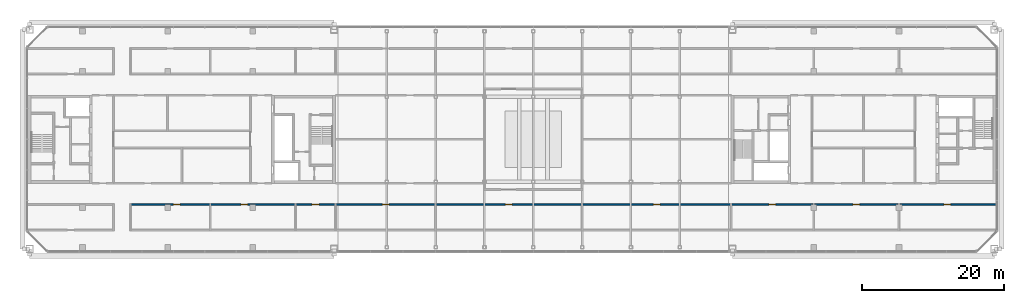
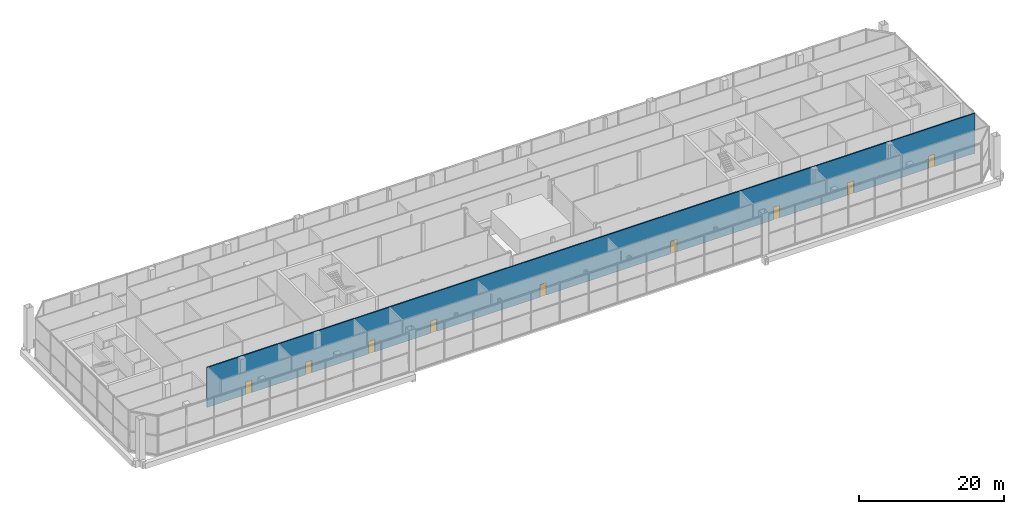
# One storey, part 20 of 27: 9 doors, 1 wall, 9 openings.
"""IFC4 building model written with IfcOpenShell, lengths in metres."""

import ifcopenshell
import ifcopenshell.guid

model = None  # the IFC model being written
_history = None  # IfcOwnerHistory: only IFC2X3 demands one
_inside = {}  # id of a spatial element -> (the spatial element, [elements in it])
_under = {}  # id of a project, library or spatial element -> (it, [spatial elements below it])
_declared = {}  # id of a project -> (the project, [libraries it declares])
_typed = {}  # id of a type object -> (the type object, [elements of that type])
_made_of = {}  # id of a material, layer set ... -> (it, [elements and type objects made of it])


def new_model(schema):
    """Start an empty IFC model of exactly this schema.

    Asked for "IFC4X3", IfcOpenShell would pick the latest addendum, in which some entities
    have other attributes; the version numbers below select the first issue.
    IFC2X3 requires an IfcOwnerHistory on every rooted entity: one is made here for all.
    """
    global model, _history
    if schema == "IFC4X3":
        model = ifcopenshell.file(schema_version=(4, 3, 0, 0))
    else:
        model = ifcopenshell.file(schema=schema)
    _inside.clear()
    _under.clear()
    _declared.clear()
    _typed.clear()
    _made_of.clear()
    _history = None
    if model.schema == "IFC2X3":
        org = make("IfcOrganization", Name="unknown")
        user = make(
            "IfcPersonAndOrganization",
            ThePerson=make("IfcPerson", FamilyName="unknown"),
            TheOrganization=org,
        )
        app = make(
            "IfcApplication",
            ApplicationDeveloper=org,
            Version="unknown",
            ApplicationFullName="unknown",
            ApplicationIdentifier="unknown",
        )
        _history = make(
            "IfcOwnerHistory",
            OwningUser=user,
            OwningApplication=app,
            ChangeAction="ADDED",
            CreationDate=0,
        )
    return model


def make(cls, **values):
    """One entity of the class cls with the attributes given. An attribute that is None is left unset."""
    return model.create_entity(
        cls, **{name: value for name, value in values.items() if value is not None}
    )


def rooted(cls, **values):
    """An entity with a GlobalId (a new one), such as an element, a storey or a relation."""
    return make(cls, GlobalId=ifcopenshell.guid.new(), OwnerHistory=_history, **values)


def si_unit(unit_type, name, prefix=None):
    """IfcSIUnit, for example si_unit("LENGTHUNIT", "METRE", prefix="MILLI")."""
    return make("IfcSIUnit", UnitType=unit_type, Prefix=prefix, Name=name)


def assignment(units):
    """IfcUnitAssignment: the units of a project."""
    return None if units is None else make("IfcUnitAssignment", Units=units)


def point(xyz):
    """IfcCartesianPoint."""
    return None if xyz is None else make("IfcCartesianPoint", Coordinates=xyz)


def direction(xyz):
    """IfcDirection."""
    return None if xyz is None else make("IfcDirection", DirectionRatios=xyz)


def frame(location, z_axis=None, x_axis=None):
    """IfcAxis2Placement3D, a coordinate frame: its origin and axes. An axis left out is left unset."""
    return make(
        "IfcAxis2Placement3D",
        Location=point(location),
        Axis=direction(z_axis),
        RefDirection=direction(x_axis),
    )


def frame_2d(location, x_axis=None):
    """IfcAxis2Placement2D, a coordinate frame in the plane: its origin and x axis."""
    return make(
        "IfcAxis2Placement2D", Location=point(location), RefDirection=direction(x_axis)
    )


def origin():
    """The frame at (0, 0, 0) with its axes left unset."""
    return frame((0.0, 0.0, 0.0))


def place(relative_to, where):
    """IfcLocalPlacement: puts the frame where relative to a parent placement (None: the world)."""
    return make(
        "IfcLocalPlacement", PlacementRelTo=relative_to, RelativePlacement=where
    )


def context(
    kind, dimensions, precision=None, world=None, true_north=None, identifier=None
):
    """IfcGeometricRepresentationContext, for example the 3D "Model" context."""
    return make(
        "IfcGeometricRepresentationContext",
        ContextIdentifier=identifier,
        ContextType=kind,
        CoordinateSpaceDimension=dimensions,
        Precision=precision,
        WorldCoordinateSystem=world,
        TrueNorth=true_north,
    )


def subcontext(parent, identifier, kind, view, scale=None):
    """IfcGeometricRepresentationSubContext, for example "Body" below "Model"."""
    return make(
        "IfcGeometricRepresentationSubContext",
        ContextIdentifier=identifier,
        ContextType=kind,
        ParentContext=parent,
        TargetScale=scale,
        TargetView=view,
    )


def project(units=None, contexts=None):
    """IfcProject with its units and contexts."""
    return rooted(
        "IfcProject",
        Name="project",
        RepresentationContexts=contexts,
        UnitsInContext=assignment(units),
    )


def spatial(cls, under=None, at=None, **own):
    """A site, building, storey or space (cls), placed at a placement, below another one or the project."""
    s = rooted(cls, ObjectPlacement=at, **own)
    if under is not None:
        _under.setdefault(under.id(), (under, []))[1].append(s)
    return s


def profile(cls, at=None, kind="AREA", **sizes):
    """A parametric profile (cls). Its sizes go by their IFC names, for example OverallWidth=200.0."""
    return make(cls, ProfileType=kind, Position=at, **sizes)


def rectangle(**sizes):
    """IfcRectangleProfileDef."""
    return profile("IfcRectangleProfileDef", **sizes)


def extrude(swept, where, along, depth):
    """IfcExtrudedAreaSolid: the profile swept, set in the frame where, extruded along a direction by depth."""
    return make(
        "IfcExtrudedAreaSolid",
        SweptArea=swept,
        Position=where,
        ExtrudedDirection=direction(along),
        Depth=depth,
    )


def shape(context_of_items, identifier, shape_type, items):
    """IfcShapeRepresentation: the items that make up one representation, for example the "Body"."""
    return make(
        "IfcShapeRepresentation",
        ContextOfItems=context_of_items,
        RepresentationIdentifier=identifier,
        RepresentationType=shape_type,
        Items=items,
    )


def material(Name=None, Category=None):
    """IfcMaterial."""
    return make("IfcMaterial", Name=Name, Category=Category)


def layer(
    of_material, thickness, ventilated=None, Name=None, Category=None, Priority=None
):
    """IfcMaterialLayer: one layer of a wall or slab, of a material (None: an air gap)."""
    return make(
        "IfcMaterialLayer",
        Material=of_material,
        LayerThickness=thickness,
        IsVentilated=ventilated,
        Name=Name,
        Category=Category,
        Priority=Priority,
    )


def layer_set(layers, Name=None):
    """IfcMaterialLayerSet."""
    return make("IfcMaterialLayerSet", MaterialLayers=layers, LayerSetName=Name)


def made_of(thing, what):
    """Note that an element or type object is made of a material, layer set ...; save() writes the relation."""
    if what is not None:
        _made_of.setdefault(what.id(), (what, []))[1].append(thing)
    return thing


def type_object(cls, material=None, **own):
    """A type object (cls), such as IfcWallType, which elements share."""
    return made_of(rooted(cls, **own), material)


def element(
    cls,
    number,
    at=None,
    inside=None,
    cuts=None,
    type_object=None,
    material=None,
    context=None,
    identifier="Body",
    shape_type=None,
    held_by="IfcProductDefinitionShape",
    body=None,
    shapes=None,
    **own,
):
    """One element of the class cls, such as IfcWall. Its Tag is "e" and its number.

    at: its placement. inside: the storey or other place that contains it. cuts: it is an
    opening in that element (IfcRelVoidsElement). A single representation is given by context,
    identifier, shape_type and body (its items); several are given by shapes. held_by: the class
    of the entity that holds the representations. save() writes the other relations.
    """
    e = rooted(cls, Tag="e%d" % number, ObjectPlacement=at, **own)
    if body is not None:
        shapes = [shape(context, identifier, shape_type, body)]
    if shapes is not None:
        e.Representation = make(held_by, Representations=shapes)
    if inside is not None:
        _inside.setdefault(inside.id(), (inside, []))[1].append(e)
    if cuts is not None:
        rooted(
            "IfcRelVoidsElement", RelatingBuildingElement=cuts, RelatedOpeningElement=e
        )
    if type_object is not None:
        _typed.setdefault(type_object.id(), (type_object, []))[1].append(e)
    return made_of(e, material)


def fill(opening, filler):
    """IfcRelFillsElement: the door or window that sits in an opening."""
    return rooted(
        "IfcRelFillsElement",
        RelatingOpeningElement=opening,
        RelatedBuildingElement=filler,
    )


def aggregate(whole, parts):
    """IfcRelAggregates: a whole, such as a stair, and the parts it consists of."""
    return rooted("IfcRelAggregates", RelatingObject=whole, RelatedObjects=parts)


def save(model, path):
    """Write the relations noted so far, then the file.

    IfcRelAggregates (storeys below a building ...), IfcRelContainedInSpatialStructure (elements
    in a storey), IfcRelDefinesByType, IfcRelAssociatesMaterial and IfcRelDeclares: one each for
    every whole, place, type object, material and project.
    """
    for whole, parts in _under.values():
        aggregate(whole, parts)
    for where, things in _inside.values():
        rooted(
            "IfcRelContainedInSpatialStructure",
            RelatedElements=things,
            RelatingStructure=where,
        )
    for kind, things in _typed.values():
        rooted("IfcRelDefinesByType", RelatedObjects=things, RelatingType=kind)
    for what, things in _made_of.values():
        rooted("IfcRelAssociatesMaterial", RelatedObjects=things, RelatingMaterial=what)
    for by, libraries in _declared.values():
        rooted("IfcRelDeclares", RelatingContext=by, RelatedDefinitions=libraries)
    model.write(path)


model = new_model("IFC4")

# Units and contexts
model_context = context("Model", 3, precision=1e-05, world=origin(), true_north=direction((0.0, 1.0)))
body_context = subcontext(model_context, "Body", "Model", "MODEL_VIEW")
ifc_project = project(units=[si_unit("LENGTHUNIT", "METRE"), si_unit("AREAUNIT", "SQUARE_METRE"), si_unit("VOLUMEUNIT", "CUBIC_METRE"), si_unit("PLANEANGLEUNIT", "RADIAN"), si_unit("MASSUNIT", "GRAM", prefix="KILO")], contexts=[model_context])

# Site, building, storey
site_placement = place(None, origin())
site = spatial("IfcSite", under=ifc_project, at=site_placement, CompositionType="ELEMENT")
building_placement = place(site_placement, origin())
building = spatial("IfcBuilding", under=site, at=building_placement, Name="Tuart Gate Housing", CompositionType="ELEMENT")
storey_placement = place(building_placement, frame((0.0, 0.0, 236.89990234375)))
storey = spatial("IfcBuildingStorey", under=building, at=storey_placement, Name="L67", CompositionType="ELEMENT", Elevation=236.89990234375)

# Wall, openings, doors
ifc_material_1 = material(Name="Concrete masonry 15 MPa", Category="masonry")
ifc_layer = layer(ifc_material_1, 0.199951171875)
ifc_layer_set = layer_set([ifc_layer], Name="Enclosure wall masonry 200")
wall_type = type_object("IfcWallType", Name="Enclosure wall masonry 200", PredefinedType="PARTITIONING", material=ifc_layer_set)
wall_placement = place(storey_placement, frame((46.659912109375, 60.800048828125, 0.0), z_axis=(0.0, 0.0, 1.0), x_axis=(1.0, 0.0, 0.0)))
wall = element("IfcWall", 1, at=wall_placement, inside=storey, type_object=wall_type, Name="Enclosure wall masonry 200", PredefinedType="PARTITIONING", context=body_context, shape_type="SweptSolid", body=[
    extrude(rectangle(XDim=122.10009765625, YDim=0.199951171875, at=frame_2d((61.050048828125, 0.0))), origin(), (0.0, 0.0, 1.0), 6.7001953125),
])
opening_1_placement = place(wall_placement, frame((6.1201171875, 0.0, 0.0)))
opening_1 = element("IfcOpeningElement", 2, at=opening_1_placement, cuts=wall, Name="Opening D312", PredefinedType="OPENING", context=body_context, shape_type="SweptSolid", body=[
    extrude(rectangle(XDim=1.0, YDim=2.10009765625, at=frame_2d((0.5, 1.050048828125))), frame((0.0, 0.10986328125, 0.0), z_axis=(0.0, -1.0, 0.0), x_axis=(1.0, 0.0, 0.0)), (0.0, 0.0, 1.0), 0.219970703125),
])
opening_2_placement = place(wall_placement, frame((15.639892578125, 0.0, 0.0)))
opening_2 = element("IfcOpeningElement", 3, at=opening_2_placement, cuts=wall, Name="Opening D313", PredefinedType="OPENING", context=body_context, shape_type="SweptSolid", body=[
    extrude(rectangle(XDim=1.0, YDim=2.10009765625, at=frame_2d((0.5, 1.050048828125))), frame((0.0, 0.10986328125, 0.0), z_axis=(0.0, -1.0, 0.0), x_axis=(1.0, 0.0, 0.0)), (0.0, 0.0, 1.0), 0.219970703125),
])
opening_3_placement = place(wall_placement, frame((25.659912109375, 0.0, 0.0)))
opening_3 = element("IfcOpeningElement", 4, at=opening_3_placement, cuts=wall, Name="Opening D314", PredefinedType="OPENING", context=body_context, shape_type="SweptSolid", body=[
    extrude(rectangle(XDim=1.0, YDim=2.10009765625, at=frame_2d((0.5, 1.050048828125))), frame((0.0, 0.10986328125, 0.0), z_axis=(0.0, -1.0, 0.0), x_axis=(1.0, 0.0, 0.0)), (0.0, 0.0, 1.0), 0.219970703125),
])
opening_4_placement = place(wall_placement, frame((35.534912109375, 0.0, 0.0)))
opening_4 = element("IfcOpeningElement", 5, at=opening_4_placement, cuts=wall, Name="Opening D315", PredefinedType="OPENING", context=body_context, shape_type="SweptSolid", body=[
    extrude(rectangle(XDim=1.0, YDim=2.10009765625, at=frame_2d((0.5, 1.050048828125))), frame((0.0, 0.10986328125, 0.0), z_axis=(0.0, -1.0, 0.0), x_axis=(1.0, 0.0, 0.0)), (0.0, 0.0, 1.0), 0.219970703125),
])
opening_5_placement = place(wall_placement, frame((52.902099609375, 0.0, 0.0)))
opening_5 = element("IfcOpeningElement", 6, at=opening_5_placement, cuts=wall, Name="Opening D316", PredefinedType="OPENING", context=body_context, shape_type="SweptSolid", body=[
    extrude(rectangle(XDim=1.0, YDim=2.10009765625, at=frame_2d((0.5, 1.050048828125))), frame((0.0, 0.10986328125, 0.0), z_axis=(0.0, -1.0, 0.0), x_axis=(1.0, 0.0, 0.0)), (0.0, 0.0, 1.0), 0.219970703125),
])
opening_6_placement = place(wall_placement, frame((73.7080078125, 0.0, 0.0)))
opening_6 = element("IfcOpeningElement", 7, at=opening_6_placement, cuts=wall, Name="Opening D317", PredefinedType="OPENING", context=body_context, shape_type="SweptSolid", body=[
    extrude(rectangle(XDim=1.0, YDim=2.10009765625, at=frame_2d((0.5, 1.050048828125))), frame((0.0, 0.10986328125, 0.0), z_axis=(0.0, -1.0, 0.0), x_axis=(1.0, 0.0, 0.0)), (0.0, 0.0, 1.0), 0.219970703125),
])
opening_7_placement = place(wall_placement, frame((90.02001953125, 0.0, 0.0)))
opening_7 = element("IfcOpeningElement", 8, at=opening_7_placement, cuts=wall, Name="Opening D318", PredefinedType="OPENING", context=body_context, shape_type="SweptSolid", body=[
    extrude(rectangle(XDim=1.0, YDim=2.10009765625, at=frame_2d((0.5, 1.050048828125))), frame((0.0, 0.10986328125, 0.0), z_axis=(0.0, -1.0, 0.0), x_axis=(1.0, 0.0, 0.0)), (0.0, 0.0, 1.0), 0.219970703125),
])
opening_8_placement = place(wall_placement, frame((101.840087890625, 0.0, 0.0)))
opening_8 = element("IfcOpeningElement", 9, at=opening_8_placement, cuts=wall, Name="Opening D319", PredefinedType="OPENING", context=body_context, shape_type="SweptSolid", body=[
    extrude(rectangle(XDim=1.0, YDim=2.10009765625, at=frame_2d((0.5, 1.050048828125))), frame((0.0, 0.10986328125, 0.0), z_axis=(0.0, -1.0, 0.0), x_axis=(1.0, 0.0, 0.0)), (0.0, 0.0, 1.0), 0.219970703125),
])
opening_9_placement = place(wall_placement, frame((114.659912109375, 0.0, 0.0)))
opening_9 = element("IfcOpeningElement", 10, at=opening_9_placement, cuts=wall, Name="Opening D320", PredefinedType="OPENING", context=body_context, shape_type="SweptSolid", body=[
    extrude(rectangle(XDim=1.0, YDim=2.10009765625, at=frame_2d((0.5, 1.050048828125))), frame((0.0, 0.10986328125, 0.0), z_axis=(0.0, -1.0, 0.0), x_axis=(1.0, 0.0, 0.0)), (0.0, 0.0, 1.0), 0.219970703125),
])
ifc_material_2 = material(Name="Timber door leaf in steel frame", Category="steel")
door_type_1 = type_object("IfcDoorType", Name="Fire door 1000", OperationType="SINGLE_SWING_LEFT", PredefinedType="DOOR", material=ifc_material_2)
door_1_placement = place(opening_1_placement, frame((1.0, 0.0, 0.0), z_axis=(0.0, 0.0, 1.0), x_axis=(-1.0, 0.0, 0.0)))
door_1 = element("IfcDoor", 11, at=door_1_placement, inside=storey, type_object=door_type_1, Name="Fire door 1000", OperationType="SINGLE_SWING_LEFT", OverallHeight=2.10009765625, OverallWidth=1.0, PredefinedType="DOOR", context=body_context, shape_type="SweptSolid", body=[
    extrude(rectangle(XDim=1.0, YDim=2.10009765625, at=frame_2d((0.5, 1.050048828125))), frame((0.0, 0.025146484375, 0.0), z_axis=(0.0, -1.0, 0.0), x_axis=(1.0, 0.0, 0.0)), (0.0, 0.0, 1.0), 0.050048828125),
])
fill(opening_1, door_1)
door_2_placement = place(opening_6_placement, frame((1.0, 0.0, 0.0), z_axis=(0.0, 0.0, 1.0), x_axis=(-1.0, 0.0, 0.0)))
door_2 = element("IfcDoor", 12, at=door_2_placement, inside=storey, type_object=door_type_1, Name="Fire door 1000", OperationType="SINGLE_SWING_LEFT", OverallHeight=2.10009765625, OverallWidth=1.0, PredefinedType="DOOR", context=body_context, shape_type="SweptSolid", body=[
    extrude(rectangle(XDim=1.0, YDim=2.10009765625, at=frame_2d((0.5, 1.050048828125))), frame((0.0, 0.025146484375, 0.0), z_axis=(0.0, -1.0, 0.0), x_axis=(1.0, 0.0, 0.0)), (0.0, 0.0, 1.0), 0.050048828125),
])
fill(opening_6, door_2)
ifc_material_3 = material(Name="Timber door leaf in steel frame", Category="steel")
door_type_2 = type_object("IfcDoorType", Name="Fire door 1000 RH", OperationType="SINGLE_SWING_RIGHT", PredefinedType="DOOR", material=ifc_material_3)
door_3_placement = place(opening_2_placement, frame((1.0, 0.0, 0.0), z_axis=(0.0, 0.0, 1.0), x_axis=(-1.0, 0.0, 0.0)))
door_3 = element("IfcDoor", 13, at=door_3_placement, inside=storey, type_object=door_type_2, Name="Fire door 1000", OperationType="SINGLE_SWING_RIGHT", OverallHeight=2.10009765625, OverallWidth=1.0, PredefinedType="DOOR", context=body_context, shape_type="SweptSolid", body=[
    extrude(rectangle(XDim=1.0, YDim=2.10009765625, at=frame_2d((0.5, 1.050048828125))), frame((0.0, 0.025146484375, 0.0), z_axis=(0.0, -1.0, 0.0), x_axis=(1.0, 0.0, 0.0)), (0.0, 0.0, 1.0), 0.050048828125),
])
fill(opening_2, door_3)
door_4_placement = place(opening_3_placement, frame((1.0, 0.0, 0.0), z_axis=(0.0, 0.0, 1.0), x_axis=(-1.0, 0.0, 0.0)))
door_4 = element("IfcDoor", 14, at=door_4_placement, inside=storey, type_object=door_type_2, Name="Fire door 1000", OperationType="SINGLE_SWING_RIGHT", OverallHeight=2.10009765625, OverallWidth=1.0, PredefinedType="DOOR", context=body_context, shape_type="SweptSolid", body=[
    extrude(rectangle(XDim=1.0, YDim=2.10009765625, at=frame_2d((0.5, 1.050048828125))), frame((0.0, 0.025146484375, 0.0), z_axis=(0.0, -1.0, 0.0), x_axis=(1.0, 0.0, 0.0)), (0.0, 0.0, 1.0), 0.050048828125),
])
fill(opening_3, door_4)
door_5_placement = place(opening_4_placement, frame((1.0, 0.0, 0.0), z_axis=(0.0, 0.0, 1.0), x_axis=(-1.0, 0.0, 0.0)))
door_5 = element("IfcDoor", 15, at=door_5_placement, inside=storey, type_object=door_type_2, Name="Fire door 1000", OperationType="SINGLE_SWING_RIGHT", OverallHeight=2.10009765625, OverallWidth=1.0, PredefinedType="DOOR", context=body_context, shape_type="SweptSolid", body=[
    extrude(rectangle(XDim=1.0, YDim=2.10009765625, at=frame_2d((0.5, 1.050048828125))), frame((0.0, 0.025146484375, 0.0), z_axis=(0.0, -1.0, 0.0), x_axis=(1.0, 0.0, 0.0)), (0.0, 0.0, 1.0), 0.050048828125),
])
fill(opening_4, door_5)
door_6_placement = place(opening_5_placement, frame((1.0, 0.0, 0.0), z_axis=(0.0, 0.0, 1.0), x_axis=(-1.0, 0.0, 0.0)))
door_6 = element("IfcDoor", 16, at=door_6_placement, inside=storey, type_object=door_type_2, Name="Fire door 1000", OperationType="SINGLE_SWING_RIGHT", OverallHeight=2.10009765625, OverallWidth=1.0, PredefinedType="DOOR", context=body_context, shape_type="SweptSolid", body=[
    extrude(rectangle(XDim=1.0, YDim=2.10009765625, at=frame_2d((0.5, 1.050048828125))), frame((0.0, 0.025146484375, 0.0), z_axis=(0.0, -1.0, 0.0), x_axis=(1.0, 0.0, 0.0)), (0.0, 0.0, 1.0), 0.050048828125),
])
fill(opening_5, door_6)
door_7_placement = place(opening_7_placement, frame((1.0, 0.0, 0.0), z_axis=(0.0, 0.0, 1.0), x_axis=(-1.0, 0.0, 0.0)))
door_7 = element("IfcDoor", 17, at=door_7_placement, inside=storey, type_object=door_type_2, Name="Fire door 1000", OperationType="SINGLE_SWING_RIGHT", OverallHeight=2.10009765625, OverallWidth=1.0, PredefinedType="DOOR", context=body_context, shape_type="SweptSolid", body=[
    extrude(rectangle(XDim=1.0, YDim=2.10009765625, at=frame_2d((0.5, 1.050048828125))), frame((0.0, 0.025146484375, 0.0), z_axis=(0.0, -1.0, 0.0), x_axis=(1.0, 0.0, 0.0)), (0.0, 0.0, 1.0), 0.050048828125),
])
fill(opening_7, door_7)
door_8_placement = place(opening_8_placement, frame((1.0, 0.0, 0.0), z_axis=(0.0, 0.0, 1.0), x_axis=(-1.0, 0.0, 0.0)))
door_8 = element("IfcDoor", 18, at=door_8_placement, inside=storey, type_object=door_type_2, Name="Fire door 1000", OperationType="SINGLE_SWING_RIGHT", OverallHeight=2.10009765625, OverallWidth=1.0, PredefinedType="DOOR", context=body_context, shape_type="SweptSolid", body=[
    extrude(rectangle(XDim=1.0, YDim=2.10009765625, at=frame_2d((0.5, 1.050048828125))), frame((0.0, 0.025146484375, 0.0), z_axis=(0.0, -1.0, 0.0), x_axis=(1.0, 0.0, 0.0)), (0.0, 0.0, 1.0), 0.050048828125),
])
fill(opening_8, door_8)
door_9_placement = place(opening_9_placement, frame((1.0, 0.0, 0.0), z_axis=(0.0, 0.0, 1.0), x_axis=(-1.0, 0.0, 0.0)))
door_9 = element("IfcDoor", 19, at=door_9_placement, inside=storey, type_object=door_type_2, Name="Fire door 1000", OperationType="SINGLE_SWING_RIGHT", OverallHeight=2.10009765625, OverallWidth=1.0, PredefinedType="DOOR", context=body_context, shape_type="SweptSolid", body=[
    extrude(rectangle(XDim=1.0, YDim=2.10009765625, at=frame_2d((0.5, 1.050048828125))), frame((0.0, 0.025146484375, 0.0), z_axis=(0.0, -1.0, 0.0), x_axis=(1.0, 0.0, 0.0)), (0.0, 0.0, 1.0), 0.050048828125),
])
fill(opening_9, door_9)

save(model, "model.ifc")
